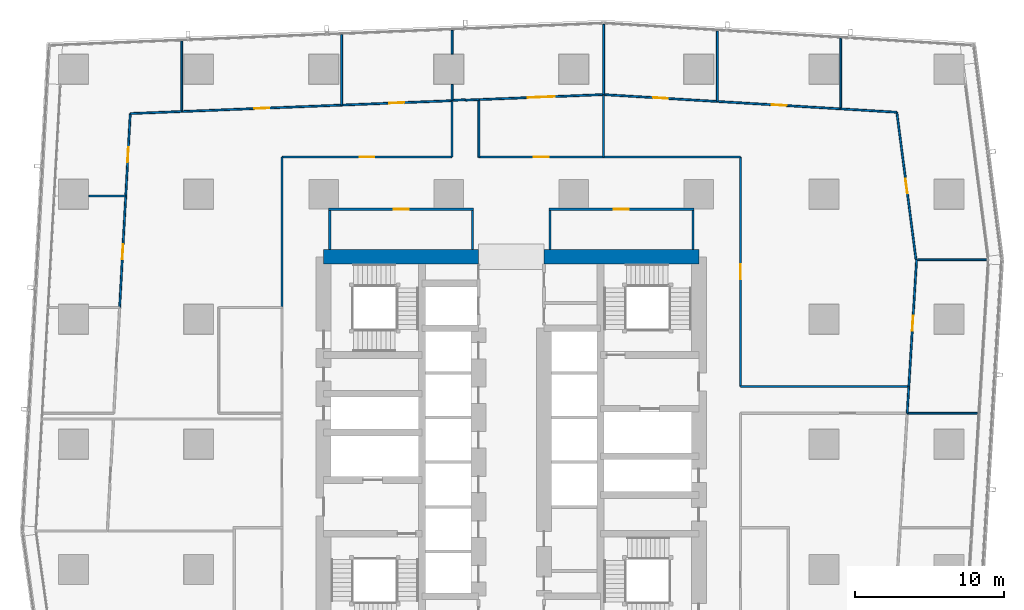
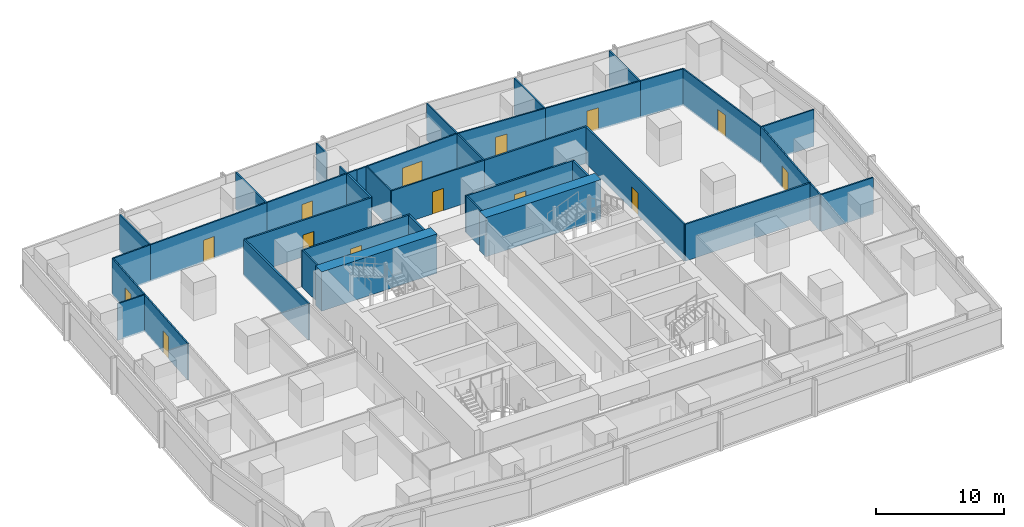
# One storey, part 31 of 39: 41 walls, 14 doors, 14 openings.
"""IFC4 building model written with IfcOpenShell, lengths in metres."""

from ifc_helpers import new_model, si_unit, direction, frame, frame_2d, origin, place, context, subcontext, project, spatial, rectangle, extrude, material, layer, layer_set, type_object, element, fill, save


model = new_model("IFC4")

# Units and contexts
model_context = context("Model", 3, precision=1e-05, world=origin(), true_north=direction((0.0, 1.0)))
body_context = subcontext(model_context, "Body", "Model", "MODEL_VIEW")
ifc_project = project(units=[si_unit("LENGTHUNIT", "METRE"), si_unit("AREAUNIT", "SQUARE_METRE"), si_unit("VOLUMEUNIT", "CUBIC_METRE"), si_unit("PLANEANGLEUNIT", "RADIAN"), si_unit("MASSUNIT", "GRAM", prefix="KILO")], contexts=[model_context])

# Site, building, storey
site_placement = place(None, origin())
site = spatial("IfcSite", under=ifc_project, at=site_placement, CompositionType="ELEMENT")
building_placement = place(site_placement, origin())
building = spatial("IfcBuilding", under=site, at=building_placement, Name="Rekha Terrace Tower", CompositionType="ELEMENT")
storey_placement = place(building_placement, frame((0.0, 0.0, 151.550048828125)))
storey = spatial("IfcBuildingStorey", under=building, at=storey_placement, Name="L38", CompositionType="ELEMENT", Elevation=151.550048828125)

# Walls
ifc_material_1 = material(Name="Concrete M70", Category="concrete")
ifc_layer_1 = layer(ifc_material_1, 1.0)
ifc_layer_set_1 = layer_set([ifc_layer_1], Name="Concrete M70")
wall_type_1 = type_object("IfcWallType", Name="SW2 1000 core outer shear wall", PredefinedType="SHEAR", material=ifc_layer_set_1)
wall_1_placement = place(storey_placement, frame((25.199951171875, 46.199951171875, 0.0), z_axis=(0.0, 0.0, 1.0), x_axis=(1.0, 0.0, 0.0)))
element("IfcWall", 1, at=wall_1_placement, inside=storey, type_object=wall_type_1, Name="Core wall N1 L38", PredefinedType="SHEAR", context=body_context, shape_type="SweptSolid", body=[
    extrude(rectangle(XDim=10.400146484375, YDim=1.0, at=frame_2d((5.2001953125, 0.0))), origin(), (0.0, 0.0, 1.0), 3.75),
])
wall_2_placement = place(storey_placement, frame((40.0, 46.199951171875, 0.0), z_axis=(0.0, 0.0, 1.0), x_axis=(1.0, 0.0, 0.0)))
element("IfcWall", 2, at=wall_2_placement, inside=storey, type_object=wall_type_1, Name="Core wall N2 L38", PredefinedType="SHEAR", context=body_context, shape_type="SweptSolid", body=[
    extrude(rectangle(XDim=10.39990234375, YDim=1.0, at=frame_2d((5.199951171875, 0.0))), origin(), (0.0, 0.0, 1.0), 3.75),
])

# Wall, opening, door
ifc_material_2 = material(Name="Concrete block masonry, 1 hour", Category="masonry")
ifc_layer_2 = layer(ifc_material_2, 0.14990234375)
ifc_layer_set_2 = layer_set([ifc_layer_2], Name="Concrete block masonry, 1 hour")
wall_type_2 = type_object("IfcWallType", Name="WP2 150 tenancy partition", PredefinedType="PARTITIONING", material=ifc_layer_set_2)
wall_3_placement = place(storey_placement, frame((40.324951171875, 49.39990234375, 0.0), z_axis=(0.0, 0.0, 1.0), x_axis=(1.0, 0.0, 0.0)))
wall_3 = element("IfcWall", 3, at=wall_3_placement, inside=storey, type_object=wall_type_2, Name="Women's WC wall L38", PredefinedType="PARTITIONING", context=body_context, shape_type="SweptSolid", body=[
    extrude(rectangle(XDim=9.75, YDim=0.14990234375, at=frame_2d((4.875, 0.0))), origin(), (0.0, 0.0, 1.0), 3.5),
])
opening_1_placement = place(wall_3_placement, frame((4.375, 0.0, 0.0)))
opening_1 = element("IfcOpeningElement", 4, at=opening_1_placement, cuts=wall_3, Name="Opening D3", PredefinedType="OPENING", context=body_context, shape_type="SweptSolid", body=[
    extrude(rectangle(XDim=1.0, YDim=2.10009765625, at=frame_2d((0.5, 1.050048828125))), frame((0.0, 0.0849609375, 0.0), z_axis=(0.0, -1.0, 0.0), x_axis=(1.0, 0.0, 0.0)), (0.0, 0.0, 1.0), 0.169921875),
])
ifc_material_3 = material(Name="Laminated timber fire door", Category="wood")
door_type_1 = type_object("IfcDoorType", Name="D3 1000x2100 WC door", OperationType="SINGLE_SWING_LEFT", PredefinedType="DOOR", material=ifc_material_3)
door_1_placement = place(opening_1_placement, origin())
door_1 = element("IfcDoor", 5, at=door_1_placement, inside=storey, type_object=door_type_1, Name="Door women's wc L38", OperationType="SINGLE_SWING_LEFT", OverallHeight=2.10009765625, OverallWidth=1.0, PredefinedType="DOOR", context=body_context, shape_type="SweptSolid", body=[
    extrude(rectangle(XDim=1.0, YDim=2.10009765625, at=frame_2d((0.5, 1.050048828125))), frame((0.0, 0.02490234375, 0.0), z_axis=(0.0, -1.0, 0.0), x_axis=(1.0, 0.0, 0.0)), (0.0, 0.0, 1.0), 0.050048828125),
])
fill(opening_1, door_1)

# Walls
for number, where, z_axis, x_axis, name in (
    (6, (40.39990234375, 46.699951171875, 0.0), (0.0, 0.0, 1.0), (0.0, 1.0, 0.0), "Women's WC wall L38"),
    (7, (50.0, 46.699951171875, 0.0), (0.0, 0.0, 1.0), (0.0, 1.0, 0.0), "Women's WC wall L38"),
):
    element("IfcWall", number, at=place(storey_placement, frame(where, z_axis=z_axis, x_axis=x_axis)), inside=storey, type_object=wall_type_2, Name=name, PredefinedType="PARTITIONING", context=body_context, shape_type="SweptSolid", body=[
        extrude(rectangle(XDim=2.625, YDim=0.14990234375, at=frame_2d((1.3125, 0.0))), origin(), (0.0, 0.0, 1.0), 3.5),
    ])

# Wall, opening, door
wall_4_placement = place(storey_placement, frame((25.52490234375, 49.39990234375, 0.0), z_axis=(0.0, 0.0, 1.0), x_axis=(1.0, 0.0, 0.0)))
wall_4 = element("IfcWall", 8, at=wall_4_placement, inside=storey, type_object=wall_type_2, Name="Women's WC wall L38", PredefinedType="PARTITIONING", context=body_context, shape_type="SweptSolid", body=[
    extrude(rectangle(XDim=9.75, YDim=0.14990234375, at=frame_2d((4.875, 0.0))), origin(), (0.0, 0.0, 1.0), 3.5),
])
opening_2_placement = place(wall_4_placement, frame((4.375, 0.0, 0.0)))
opening_2 = element("IfcOpeningElement", 9, at=opening_2_placement, cuts=wall_4, Name="Opening D3", PredefinedType="OPENING", context=body_context, shape_type="SweptSolid", body=[
    extrude(rectangle(XDim=1.0, YDim=2.10009765625, at=frame_2d((0.5, 1.050048828125))), frame((0.0, 0.0849609375, 0.0), z_axis=(0.0, -1.0, 0.0), x_axis=(1.0, 0.0, 0.0)), (0.0, 0.0, 1.0), 0.169921875),
])
door_2_placement = place(opening_2_placement, origin())
door_2 = element("IfcDoor", 10, at=door_2_placement, inside=storey, type_object=door_type_1, Name="Door women's wc L38", OperationType="SINGLE_SWING_LEFT", OverallHeight=2.10009765625, OverallWidth=1.0, PredefinedType="DOOR", context=body_context, shape_type="SweptSolid", body=[
    extrude(rectangle(XDim=1.0, YDim=2.10009765625, at=frame_2d((0.5, 1.050048828125))), frame((0.0, 0.02490234375, 0.0), z_axis=(0.0, -1.0, 0.0), x_axis=(1.0, 0.0, 0.0)), (0.0, 0.0, 1.0), 0.050048828125),
])
fill(opening_2, door_2)

# Walls
for number, where, z_axis, x_axis, name in (
    (11, (25.60009765625, 46.699951171875, 0.0), (0.0, 0.0, 1.0), (0.0, 1.0, 0.0), "Women's WC wall L38"),
    (12, (35.199951171875, 46.699951171875, 0.0), (0.0, 0.0, 1.0), (0.0, 1.0, 0.0), "Women's WC wall L38"),
):
    element("IfcWall", number, at=place(storey_placement, frame(where, z_axis=z_axis, x_axis=x_axis)), inside=storey, type_object=wall_type_2, Name=name, PredefinedType="PARTITIONING", context=body_context, shape_type="SweptSolid", body=[
        extrude(rectangle(XDim=2.625, YDim=0.14990234375, at=frame_2d((1.3125, 0.0))), origin(), (0.0, 0.0, 1.0), 3.5),
    ])
wall_5_placement = place(storey_placement, frame((64.507080078125, 37.489990234375, 0.0), z_axis=(0.0, 0.0, 1.0), x_axis=(-1.0, 0.0, 0.0)))
element("IfcWall", 13, at=wall_5_placement, inside=storey, type_object=wall_type_2, Name="Partition L38-O1", PredefinedType="PARTITIONING", context=body_context, shape_type="SweptSolid", body=[
    extrude(rectangle(XDim=11.30712890625, YDim=0.14990234375, at=frame_2d((5.653564453125, 0.0))), origin(), (0.0, 0.0, 1.0), 3.5),
])

# Wall, opening, door
wall_6_placement = place(storey_placement, frame((53.199951171875, 37.489990234375, 0.0), z_axis=(0.0, 0.0, 1.0), x_axis=(0.0, 1.0, 0.0)))
wall_6 = element("IfcWall", 14, at=wall_6_placement, inside=storey, type_object=wall_type_2, Name="Partition L38-O1", PredefinedType="PARTITIONING", context=body_context, shape_type="SweptSolid", body=[
    extrude(rectangle(XDim=15.409912109375, YDim=0.14990234375, at=frame_2d((7.705078125, 0.0))), origin(), (0.0, 0.0, 1.0), 3.5),
])
opening_3_placement = place(wall_6_placement, frame((7.205078125, 0.0, 0.0)))
opening_3 = element("IfcOpeningElement", 15, at=opening_3_placement, cuts=wall_6, Name="Opening D9", PredefinedType="OPENING", context=body_context, shape_type="SweptSolid", body=[
    extrude(rectangle(XDim=1.0, YDim=2.10009765625, at=frame_2d((0.5, 1.050048828125))), frame((0.0, 0.0849609375, 0.0), z_axis=(0.0, -1.0, 0.0), x_axis=(1.0, 0.0, 0.0)), (0.0, 0.0, 1.0), 0.169921875),
])
ifc_material_4 = material(Name="Timber fire door", Category="wood")
door_type_2 = type_object("IfcDoorType", Name="D9 1000x2100 office door", OperationType="SINGLE_SWING_LEFT", PredefinedType="DOOR", material=ifc_material_4)
door_3_placement = place(opening_3_placement, origin())
door_3 = element("IfcDoor", 16, at=door_3_placement, inside=storey, type_object=door_type_2, Name="Door open-plan office L38", OperationType="SINGLE_SWING_LEFT", OverallHeight=2.10009765625, OverallWidth=1.0, PredefinedType="DOOR", context=body_context, shape_type="SweptSolid", body=[
    extrude(rectangle(XDim=1.0, YDim=2.10009765625, at=frame_2d((0.5, 1.050048828125))), frame((0.0, 0.02490234375, 0.0), z_axis=(0.0, -1.0, 0.0), x_axis=(1.0, 0.0, 0.0)), (0.0, 0.0, 1.0), 0.050048828125),
])
fill(opening_3, door_3)

# Walls
wall_7_placement = place(storey_placement, frame((53.199951171875, 52.89990234375, 0.0), z_axis=(0.0, 0.0, 1.0), x_axis=(-1.0, 0.0, 0.0)))
element("IfcWall", 17, at=wall_7_placement, inside=storey, type_object=wall_type_2, Name="Partition L38-O1", PredefinedType="PARTITIONING", context=body_context, shape_type="SweptSolid", body=[
    extrude(rectangle(XDim=9.197021484375, YDim=0.14990234375, at=frame_2d((4.5986328125, 0.0))), origin(), (0.0, 0.0, 1.0), 3.5),
])
wall_8_placement = place(storey_placement, frame((44.0029296875, 52.89990234375, 0.0), z_axis=(0.0, 0.0, 1.0), x_axis=(0.0, 1.0, 0.0)))
element("IfcWall", 18, at=wall_8_placement, inside=storey, type_object=wall_type_2, Name="Partition L38-O1", PredefinedType="PARTITIONING", context=body_context, shape_type="SweptSolid", body=[
    extrude(rectangle(XDim=4.130126953125, YDim=0.14990234375, at=frame_2d((2.06494140625, 0.0))), origin(), (0.0, 0.0, 1.0), 3.5),
])
wall_9_placement = place(storey_placement, frame((33.825927734375, 56.6240234375, 0.0), z_axis=(0.0, 0.0, 1.0), x_axis=(0.0, -1.0, 0.0)))
element("IfcWall", 19, at=wall_9_placement, inside=storey, type_object=wall_type_2, Name="Partition L38-O2", PredefinedType="PARTITIONING", context=body_context, shape_type="SweptSolid", body=[
    extrude(rectangle(XDim=3.72412109375, YDim=0.14990234375, at=frame_2d((1.862060546875, 0.0))), origin(), (0.0, 0.0, 1.0), 3.5),
])

# Wall, opening, door
wall_10_placement = place(storey_placement, frame((33.825927734375, 52.89990234375, 0.0), z_axis=(0.0, 0.0, 1.0), x_axis=(-1.0, 0.0, 0.0)))
wall_10 = element("IfcWall", 20, at=wall_10_placement, inside=storey, type_object=wall_type_2, Name="Partition L38-O2", PredefinedType="PARTITIONING", context=body_context, shape_type="SweptSolid", body=[
    extrude(rectangle(XDim=11.426025390625, YDim=0.14990234375, at=frame_2d((5.712890625, 0.0))), origin(), (0.0, 0.0, 1.0), 3.5),
])
opening_4_placement = place(wall_10_placement, frame((5.212890625, 0.0, 0.0)))
opening_4 = element("IfcOpeningElement", 21, at=opening_4_placement, cuts=wall_10, Name="Opening D9", PredefinedType="OPENING", context=body_context, shape_type="SweptSolid", body=[
    extrude(rectangle(XDim=1.0, YDim=2.10009765625, at=frame_2d((0.5, 1.050048828125))), frame((0.0, 0.0849609375, 0.0), z_axis=(0.0, -1.0, 0.0), x_axis=(1.0, 0.0, 0.0)), (0.0, 0.0, 1.0), 0.169921875),
])
door_4_placement = place(opening_4_placement, origin())
door_4 = element("IfcDoor", 22, at=door_4_placement, inside=storey, type_object=door_type_2, Name="Door open-plan office L38", OperationType="SINGLE_SWING_LEFT", OverallHeight=2.10009765625, OverallWidth=1.0, PredefinedType="DOOR", context=body_context, shape_type="SweptSolid", body=[
    extrude(rectangle(XDim=1.0, YDim=2.10009765625, at=frame_2d((0.5, 1.050048828125))), frame((0.0, 0.02490234375, 0.0), z_axis=(0.0, -1.0, 0.0), x_axis=(1.0, 0.0, 0.0)), (0.0, 0.0, 1.0), 0.050048828125),
])
fill(opening_4, door_4)

# Walls
wall_11_placement = place(storey_placement, frame((22.39990234375, 52.89990234375, 0.0), z_axis=(0.0, 0.0, 1.0), x_axis=(0.0, -1.0, 0.0)))
element("IfcWall", 23, at=wall_11_placement, inside=storey, type_object=wall_type_2, Name="Partition L38-O2", PredefinedType="PARTITIONING", context=body_context, shape_type="SweptSolid", body=[
    extrude(rectangle(XDim=10.10498046875, YDim=0.14990234375, at=frame_2d((5.052490234375, 0.0))), origin(), (0.0, 0.0, 1.0), 3.5),
])
ifc_material_5 = material(Name="Two layers of fire-rated gypsum board each side on steel studs, acoustic quilt, 1 hour", Category="steel")
ifc_layer_3 = layer(ifc_material_5, 0.125)
ifc_layer_set_3 = layer_set([ifc_layer_3], Name="Two layers of fire-rated gypsum board each side on steel studs, acoustic quilt, 1 hour")
wall_type_3 = type_object("IfcWallType", Name="WP3 125 office partition", PredefinedType="PARTITIONING", material=ifc_layer_set_3)
wall_12_placement = place(storey_placement, frame((64.39697265625, 35.68603515625, 0.0), z_axis=(0.0, 0.0, 1.0), x_axis=(1.0, 0.0, 0.0)))
element("IfcWall", 24, at=wall_12_placement, inside=storey, type_object=wall_type_3, Name="Partition L38-03", PredefinedType="PARTITIONING", context=body_context, shape_type="SweptSolid", body=[
    extrude(rectangle(XDim=4.72900390625, YDim=0.125, at=frame_2d((2.364501953125, 0.0))), origin(), (0.0, 0.0, 1.0), 3.5),
])

# Wall, opening, door
wall_13_placement = place(storey_placement, frame((64.507080078125, 37.489990234375, 0.0), z_axis=(0.0, 0.0, 1.0), x_axis=(0.061156590163, 0.998128183892, 0.0)))
wall_13 = element("IfcWall", 25, at=wall_13_placement, inside=storey, type_object=wall_type_3, Name="Partition L38-04", PredefinedType="PARTITIONING", context=body_context, shape_type="SweptSolid", body=[
    extrude(rectangle(XDim=8.534912109375, YDim=0.125, at=frame_2d((4.267578125, 0.0))), origin(), (0.0, 0.0, 1.0), 3.5),
])
opening_5_placement = place(wall_13_placement, frame((3.763916015625, 0.0, 0.0)))
opening_5 = element("IfcOpeningElement", 26, at=opening_5_placement, cuts=wall_13, Name="Opening D9", PredefinedType="OPENING", context=body_context, shape_type="SweptSolid", body=[
    extrude(rectangle(XDim=1.0, YDim=2.10009765625, at=frame_2d((0.5, 1.050048828125))), frame((0.0, 0.072509765625, 0.0), z_axis=(0.0, -1.0, 0.0), x_axis=(1.0, 0.0, 0.0)), (0.0, 0.0, 1.0), 0.14501953125),
])
door_5_placement = place(opening_5_placement, origin())
door_5 = element("IfcDoor", 27, at=door_5_placement, inside=storey, type_object=door_type_2, Name="Door office L38", OperationType="SINGLE_SWING_LEFT", OverallHeight=2.10009765625, OverallWidth=1.0, PredefinedType="DOOR", context=body_context, shape_type="SweptSolid", body=[
    extrude(rectangle(XDim=1.0, YDim=2.10009765625, at=frame_2d((0.5, 1.050048828125))), frame((0.0, 0.02490234375, 0.0), z_axis=(0.0, -1.0, 0.0), x_axis=(1.0, 0.0, 0.0)), (0.0, 0.0, 1.0), 0.050048828125),
])
fill(opening_5, door_5)

# Walls
wall_14_placement = place(storey_placement, frame((65.091064453125, 46.0029296875, 0.0), z_axis=(0.0, 0.0, 1.0), x_axis=(1.0, 0.0, 0.0)))
element("IfcWall", 28, at=wall_14_placement, inside=storey, type_object=wall_type_3, Name="Partition L38-04", PredefinedType="PARTITIONING", context=body_context, shape_type="SweptSolid", body=[
    extrude(rectangle(XDim=4.659912109375, YDim=0.125, at=frame_2d((2.330078125, 0.0))), origin(), (0.0, 0.0, 1.0), 3.5),
])
wall_15_placement = place(storey_placement, frame((64.39697265625, 35.68701171875, 0.0), z_axis=(0.0, 0.0, 1.0), x_axis=(0.060956173326, 0.998140443492, 0.0)))
element("IfcWall", 29, at=wall_15_placement, inside=storey, type_object=wall_type_3, Name="Partition L38-04", PredefinedType="PARTITIONING", context=body_context, shape_type="SweptSolid", body=[
    extrude(rectangle(XDim=1.806396484375, YDim=0.125, at=frame_2d((0.9033203125, 0.0))), origin(), (0.0, 0.0, 1.0), 3.5),
])
wall_16_placement = place(storey_placement, frame((59.93701171875, 56.135986328125, 0.0), z_axis=(0.0, 0.0, 1.0), x_axis=(0.0, 1.0, 0.0)))
element("IfcWall", 30, at=wall_16_placement, inside=storey, type_object=wall_type_3, Name="Partition L38-05", PredefinedType="PARTITIONING", context=body_context, shape_type="SweptSolid", body=[
    extrude(rectangle(XDim=4.758056640625, YDim=0.125, at=frame_2d((2.37890625, 0.0))), origin(), (0.0, 0.0, 1.0), 3.5),
])

# Wall, opening, door
wall_17_placement = place(storey_placement, frame((64.989990234375, 46.010986328125, 0.0), z_axis=(0.0, 0.0, 1.0), x_axis=(-0.129132161752, 0.991627392119, 0.0)))
wall_17 = element("IfcWall", 31, at=wall_17_placement, inside=storey, type_object=wall_type_3, Name="Partition L38-05", PredefinedType="PARTITIONING", context=body_context, shape_type="SweptSolid", body=[
    extrude(rectangle(XDim=9.982421875, YDim=0.125, at=frame_2d((4.9912109375, 0.0))), origin(), (0.0, 0.0, 1.0), 3.5),
])
opening_6_placement = place(wall_17_placement, frame((4.488037109375, 0.0, 0.0)))
opening_6 = element("IfcOpeningElement", 32, at=opening_6_placement, cuts=wall_17, Name="Opening D9", PredefinedType="OPENING", context=body_context, shape_type="SweptSolid", body=[
    extrude(rectangle(XDim=1.0, YDim=2.10009765625, at=frame_2d((0.5, 1.050048828125))), frame((0.0, 0.072509765625, 0.0), z_axis=(0.0, -1.0, 0.0), x_axis=(1.0, 0.0, 0.0)), (0.0, 0.0, 1.0), 0.14501953125),
])
door_6_placement = place(opening_6_placement, origin())
door_6 = element("IfcDoor", 33, at=door_6_placement, inside=storey, type_object=door_type_2, Name="Door director's office L38", OperationType="SINGLE_SWING_LEFT", OverallHeight=2.10009765625, OverallWidth=1.0, PredefinedType="DOOR", context=body_context, shape_type="SweptSolid", body=[
    extrude(rectangle(XDim=1.0, YDim=2.10009765625, at=frame_2d((0.5, 1.050048828125))), frame((0.0, 0.02490234375, 0.0), z_axis=(0.0, -1.0, 0.0), x_axis=(1.0, 0.0, 0.0)), (0.0, 0.0, 1.0), 0.050048828125),
])
fill(opening_6, door_6)

# Wall
wall_18_placement = place(storey_placement, frame((63.700927734375, 55.909912109375, 0.0), z_axis=(0.0, 0.0, 1.0), x_axis=(-0.99820105001, 0.059955514841, 0.0)))
element("IfcWall", 34, at=wall_18_placement, inside=storey, type_object=wall_type_3, Name="Partition L38-05", PredefinedType="PARTITIONING", context=body_context, shape_type="SweptSolid", body=[
    extrude(rectangle(XDim=3.770751953125, YDim=0.125, at=frame_2d((1.88525390625, 0.0))), origin(), (0.0, 0.0, 1.0), 3.5),
])

# Wall, opening, door
wall_19_placement = place(storey_placement, frame((59.93603515625, 56.135986328125, 0.0), z_axis=(0.0, 0.0, 1.0), x_axis=(-0.998201048184, 0.059955545233, 0.0)))
wall_19 = element("IfcWall", 35, at=wall_19_placement, inside=storey, type_object=wall_type_3, Name="Partition L38-06", PredefinedType="PARTITIONING", context=body_context, shape_type="SweptSolid", body=[
    extrude(rectangle(XDim=8.306884765625, YDim=0.125, at=frame_2d((4.1533203125, 0.0))), origin(), (0.0, 0.0, 1.0), 3.5),
])
opening_7_placement = place(wall_19_placement, frame((3.653076171875, 0.0, 0.0)))
opening_7 = element("IfcOpeningElement", 36, at=opening_7_placement, cuts=wall_19, Name="Opening D9", PredefinedType="OPENING", context=body_context, shape_type="SweptSolid", body=[
    extrude(rectangle(XDim=1.0, YDim=2.10009765625, at=frame_2d((0.5, 1.050048828125))), frame((0.0, 0.072509765625, 0.0), z_axis=(0.0, -1.0, 0.0), x_axis=(1.0, 0.0, 0.0)), (0.0, 0.0, 1.0), 0.14501953125),
])
door_7_placement = place(opening_7_placement, origin())
door_7 = element("IfcDoor", 37, at=door_7_placement, inside=storey, type_object=door_type_2, Name="Door office L38", OperationType="SINGLE_SWING_LEFT", OverallHeight=2.10009765625, OverallWidth=1.0, PredefinedType="DOOR", context=body_context, shape_type="SweptSolid", body=[
    extrude(rectangle(XDim=1.0, YDim=2.10009765625, at=frame_2d((0.5, 1.050048828125))), frame((0.0, 0.02490234375, 0.0), z_axis=(0.0, -1.0, 0.0), x_axis=(1.0, 0.0, 0.0)), (0.0, 0.0, 1.0), 0.050048828125),
])
fill(opening_7, door_7)

# Wall
wall_20_placement = place(storey_placement, frame((51.64404296875, 56.634033203125, 0.0), z_axis=(0.0, 0.0, 1.0), x_axis=(0.0, 1.0, 0.0)))
element("IfcWall", 38, at=wall_20_placement, inside=storey, type_object=wall_type_3, Name="Partition L38-06", PredefinedType="PARTITIONING", context=body_context, shape_type="SweptSolid", body=[
    extrude(rectangle(XDim=4.72900390625, YDim=0.125, at=frame_2d((2.364501953125, 0.0))), origin(), (0.0, 0.0, 1.0), 3.5),
])

# Wall, opening, door
wall_21_placement = place(storey_placement, frame((51.64306640625, 56.634033203125, 0.0), z_axis=(0.0, 0.0, 1.0), x_axis=(-0.998199883252, 0.059974937057, 0.0)))
wall_21 = element("IfcWall", 39, at=wall_21_placement, inside=storey, type_object=wall_type_3, Name="Partition L38-07", PredefinedType="PARTITIONING", context=body_context, shape_type="SweptSolid", body=[
    extrude(rectangle(XDim=7.65283203125, YDim=0.125, at=frame_2d((3.826416015625, 0.0))), origin(), (0.0, 0.0, 1.0), 3.5),
])
opening_8_placement = place(wall_21_placement, frame((3.325927734375, 0.0, 0.0)))
opening_8 = element("IfcOpeningElement", 40, at=opening_8_placement, cuts=wall_21, Name="Opening D9", PredefinedType="OPENING", context=body_context, shape_type="SweptSolid", body=[
    extrude(rectangle(XDim=1.0, YDim=2.10009765625, at=frame_2d((0.5, 1.050048828125))), frame((0.0, 0.072509765625, 0.0), z_axis=(0.0, -1.0, 0.0), x_axis=(1.0, 0.0, 0.0)), (0.0, 0.0, 1.0), 0.14501953125),
])
door_8_placement = place(opening_8_placement, origin())
door_8 = element("IfcDoor", 41, at=door_8_placement, inside=storey, type_object=door_type_2, Name="Door office L38", OperationType="SINGLE_SWING_LEFT", OverallHeight=2.10009765625, OverallWidth=1.0, PredefinedType="DOOR", context=body_context, shape_type="SweptSolid", body=[
    extrude(rectangle(XDim=1.0, YDim=2.10009765625, at=frame_2d((0.5, 1.050048828125))), frame((0.0, 0.02490234375, 0.0), z_axis=(0.0, -1.0, 0.0), x_axis=(1.0, 0.0, 0.0)), (0.0, 0.0, 1.0), 0.050048828125),
])
fill(opening_8, door_8)

# Walls
wall_22_placement = place(storey_placement, frame((44.00390625, 57.093017578125, 0.0), z_axis=(0.0, 0.0, 1.0), x_axis=(0.0, 1.0, 0.0)))
element("IfcWall", 42, at=wall_22_placement, inside=storey, type_object=wall_type_3, Name="Partition L38-07", PredefinedType="PARTITIONING", context=body_context, shape_type="SweptSolid", body=[
    extrude(rectangle(XDim=4.72607421875, YDim=0.125, at=frame_2d((2.363037109375, 0.0))), origin(), (0.0, 0.0, 1.0), 3.5),
])
wall_23_placement = place(storey_placement, frame((26.407958984375, 56.389892578125, 0.0), z_axis=(0.0, 0.0, 1.0), x_axis=(0.0, 1.0, 0.0)))
element("IfcWall", 43, at=wall_23_placement, inside=storey, type_object=wall_type_3, Name="Partition L38-12", PredefinedType="PARTITIONING", context=body_context, shape_type="SweptSolid", body=[
    extrude(rectangle(XDim=4.753173828125, YDim=0.125, at=frame_2d((2.37646484375, 0.0))), origin(), (0.0, 0.0, 1.0), 3.5),
])
wall_24_placement = place(storey_placement, frame((33.826904296875, 61.410888671875, 0.0), z_axis=(0.0, 0.0, 1.0), x_axis=(0.0, -1.0, 0.0)))
element("IfcWall", 44, at=wall_24_placement, inside=storey, type_object=wall_type_3, Name="Partition L38-12", PredefinedType="PARTITIONING", context=body_context, shape_type="SweptSolid", body=[
    extrude(rectangle(XDim=1.5908203125, YDim=0.125, at=frame_2d((0.79541015625, 0.0))), origin(), (0.0, 0.0, 1.0), 3.5),
])
wall_25_placement = place(storey_placement, frame((33.826904296875, 57.780029296875, 0.0), z_axis=(0.0, 0.0, 1.0), x_axis=(0.0, -1.0, 0.0)))
element("IfcWall", 45, at=wall_25_placement, inside=storey, type_object=wall_type_3, Name="Partition L38-12", PredefinedType="PARTITIONING", context=body_context, shape_type="SweptSolid", body=[
    extrude(rectangle(XDim=1.093017578125, YDim=0.125, at=frame_2d((0.54638671875, 0.0))), origin(), (0.0, 0.0, 1.0), 3.5),
])

# Wall, opening, door
wall_26_placement = place(storey_placement, frame((33.826904296875, 56.68701171875, 0.0), z_axis=(0.0, 0.0, 1.0), x_axis=(-0.999199014073, -0.040016624988, 0.0)))
wall_26 = element("IfcWall", 46, at=wall_26_placement, inside=storey, type_object=wall_type_3, Name="Partition L38-12", PredefinedType="PARTITIONING", context=body_context, shape_type="SweptSolid", body=[
    extrude(rectangle(XDim=7.4248046875, YDim=0.125, at=frame_2d((3.71240234375, 0.0))), origin(), (0.0, 0.0, 1.0), 3.5),
])
opening_9_placement = place(wall_26_placement, frame((3.2119140625, 0.0, 0.0)))
opening_9 = element("IfcOpeningElement", 47, at=opening_9_placement, cuts=wall_26, Name="Opening D9", PredefinedType="OPENING", context=body_context, shape_type="SweptSolid", body=[
    extrude(rectangle(XDim=1.0, YDim=2.10009765625, at=frame_2d((0.5, 1.050048828125))), frame((0.0, 0.072509765625, 0.0), z_axis=(0.0, -1.0, 0.0), x_axis=(1.0, 0.0, 0.0)), (0.0, 0.0, 1.0), 0.14501953125),
])
door_9_placement = place(opening_9_placement, origin())
door_9 = element("IfcDoor", 48, at=door_9_placement, inside=storey, type_object=door_type_2, Name="Door office L38", OperationType="SINGLE_SWING_LEFT", OverallHeight=2.10009765625, OverallWidth=1.0, PredefinedType="DOOR", context=body_context, shape_type="SweptSolid", body=[
    extrude(rectangle(XDim=1.0, YDim=2.10009765625, at=frame_2d((0.5, 1.050048828125))), frame((0.0, 0.02490234375, 0.0), z_axis=(0.0, -1.0, 0.0), x_axis=(1.0, 0.0, 0.0)), (0.0, 0.0, 1.0), 0.050048828125),
])
fill(opening_9, door_9)

wall_27_placement = place(storey_placement, frame((26.406982421875, 56.389892578125, 0.0), z_axis=(0.0, 0.0, 1.0), x_axis=(-0.999196381261, -0.040082311255, 0.0)))
wall_27 = element("IfcWall", 49, at=wall_27_placement, inside=storey, type_object=wall_type_3, Name="Partition L38-13", PredefinedType="PARTITIONING", context=body_context, shape_type="SweptSolid", body=[
    extrude(rectangle(XDim=10.75048828125, YDim=0.125, at=frame_2d((5.375244140625, 0.0))), origin(), (0.0, 0.0, 1.0), 3.5),
])
opening_10_placement = place(wall_27_placement, frame((4.875, 0.0, 0.0)))
opening_10 = element("IfcOpeningElement", 50, at=opening_10_placement, cuts=wall_27, Name="Opening D9", PredefinedType="OPENING", context=body_context, shape_type="SweptSolid", body=[
    extrude(rectangle(XDim=1.0, YDim=2.10009765625, at=frame_2d((0.5, 1.050048828125))), frame((0.0, 0.072509765625, 0.0), z_axis=(0.0, -1.0, 0.0), x_axis=(1.0, 0.0, 0.0)), (0.0, 0.0, 1.0), 0.14501953125),
])
door_10_placement = place(opening_10_placement, origin())
door_10 = element("IfcDoor", 51, at=door_10_placement, inside=storey, type_object=door_type_2, Name="Door office L38", OperationType="SINGLE_SWING_LEFT", OverallHeight=2.10009765625, OverallWidth=1.0, PredefinedType="DOOR", context=body_context, shape_type="SweptSolid", body=[
    extrude(rectangle(XDim=1.0, YDim=2.10009765625, at=frame_2d((0.5, 1.050048828125))), frame((0.0, 0.02490234375, 0.0), z_axis=(0.0, -1.0, 0.0), x_axis=(1.0, 0.0, 0.0)), (0.0, 0.0, 1.0), 0.050048828125),
])
fill(opening_10, door_10)

# Walls
wall_28_placement = place(storey_placement, frame((15.6650390625, 55.958984375, 0.0), z_axis=(0.0, 0.0, 1.0), x_axis=(0.0, 1.0, 0.0)))
element("IfcWall", 52, at=wall_28_placement, inside=storey, type_object=wall_type_3, Name="Partition L38-13", PredefinedType="PARTITIONING", context=body_context, shape_type="SweptSolid", body=[
    extrude(rectangle(XDim=4.72412109375, YDim=0.125, at=frame_2d((2.362060546875, 0.0))), origin(), (0.0, 0.0, 1.0), 3.5),
])
wall_29_placement = place(storey_placement, frame((11.903076171875, 50.284912109375, 0.0), z_axis=(0.0, 0.0, 1.0), x_axis=(-1.0, 0.0, 0.0)))
element("IfcWall", 53, at=wall_29_placement, inside=storey, type_object=wall_type_3, Name="Partition L38-14", PredefinedType="PARTITIONING", context=body_context, shape_type="SweptSolid", body=[
    extrude(rectangle(XDim=2.483154296875, YDim=0.125, at=frame_2d((1.24169921875, 0.0))), origin(), (0.0, 0.0, 1.0), 3.5),
])
wall_30_placement = place(storey_placement, frame((15.6640625, 55.958984375, 0.0), z_axis=(0.0, 0.0, 1.0), x_axis=(-0.999204899199, -0.039869404523, 0.0)))
element("IfcWall", 54, at=wall_30_placement, inside=storey, type_object=wall_type_3, Name="Partition L38-14", PredefinedType="PARTITIONING", context=body_context, shape_type="SweptSolid", body=[
    extrude(rectangle(XDim=3.459716796875, YDim=0.125, at=frame_2d((1.72998046875, 0.0))), origin(), (0.0, 0.0, 1.0), 3.5),
])

# Wall, opening, door
wall_31_placement = place(storey_placement, frame((12.20703125, 55.821044921875, 0.0), z_axis=(0.0, 0.0, 1.0), x_axis=(-0.054821297693, -0.998496181925, 0.0)))
wall_31 = element("IfcWall", 55, at=wall_31_placement, inside=storey, type_object=wall_type_3, Name="Partition L38-14", PredefinedType="PARTITIONING", context=body_context, shape_type="SweptSolid", body=[
    extrude(rectangle(XDim=5.54443359375, YDim=0.125, at=frame_2d((2.772216796875, 0.0))), origin(), (0.0, 0.0, 1.0), 3.5),
])
opening_11_placement = place(wall_31_placement, frame((2.27197265625, 0.0, 0.0)))
opening_11 = element("IfcOpeningElement", 56, at=opening_11_placement, cuts=wall_31, Name="Opening D9", PredefinedType="OPENING", context=body_context, shape_type="SweptSolid", body=[
    extrude(rectangle(XDim=1.0, YDim=2.10009765625, at=frame_2d((0.5, 1.050048828125))), frame((0.0, 0.072509765625, 0.0), z_axis=(0.0, -1.0, 0.0), x_axis=(1.0, 0.0, 0.0)), (0.0, 0.0, 1.0), 0.14501953125),
])
door_11_placement = place(opening_11_placement, origin())
door_11 = element("IfcDoor", 57, at=door_11_placement, inside=storey, type_object=door_type_2, Name="Door director's office L38", OperationType="SINGLE_SWING_LEFT", OverallHeight=2.10009765625, OverallWidth=1.0, PredefinedType="DOOR", context=body_context, shape_type="SweptSolid", body=[
    extrude(rectangle(XDim=1.0, YDim=2.10009765625, at=frame_2d((0.5, 1.050048828125))), frame((0.0, 0.02490234375, 0.0), z_axis=(0.0, -1.0, 0.0), x_axis=(1.0, 0.0, 0.0)), (0.0, 0.0, 1.0), 0.050048828125),
])
fill(opening_11, door_11)

wall_32_placement = place(storey_placement, frame((11.903076171875, 50.283935546875, 0.0), z_axis=(0.0, 0.0, 1.0), x_axis=(-0.054685772478, -0.998503613558, 0.0)))
wall_32 = element("IfcWall", 58, at=wall_32_placement, inside=storey, type_object=wall_type_3, Name="Partition L38-15", PredefinedType="PARTITIONING", context=body_context, shape_type="SweptSolid", body=[
    extrude(rectangle(XDim=7.500244140625, YDim=0.125, at=frame_2d((3.75, 0.0))), origin(), (0.0, 0.0, 1.0), 3.5),
])
opening_12_placement = place(wall_32_placement, frame((3.25, 0.0, 0.0)))
opening_12 = element("IfcOpeningElement", 59, at=opening_12_placement, cuts=wall_32, Name="Opening D9", PredefinedType="OPENING", context=body_context, shape_type="SweptSolid", body=[
    extrude(rectangle(XDim=1.0, YDim=2.10009765625, at=frame_2d((0.5, 1.050048828125))), frame((0.0, 0.072509765625, 0.0), z_axis=(0.0, -1.0, 0.0), x_axis=(1.0, 0.0, 0.0)), (0.0, 0.0, 1.0), 0.14501953125),
])
door_12_placement = place(opening_12_placement, origin())
door_12 = element("IfcDoor", 60, at=door_12_placement, inside=storey, type_object=door_type_2, Name="Door quiet room L38", OperationType="SINGLE_SWING_LEFT", OverallHeight=2.10009765625, OverallWidth=1.0, PredefinedType="DOOR", context=body_context, shape_type="SweptSolid", body=[
    extrude(rectangle(XDim=1.0, YDim=2.10009765625, at=frame_2d((0.5, 1.050048828125))), frame((0.0, 0.02490234375, 0.0), z_axis=(0.0, -1.0, 0.0), x_axis=(1.0, 0.0, 0.0)), (0.0, 0.0, 1.0), 0.050048828125),
])
fill(opening_12, door_12)

# Wall
wall_33_placement = place(storey_placement, frame((34.72607421875, 56.748046875, 0.0), z_axis=(0.0, 0.0, 1.0), x_axis=(-0.999225898229, -0.039339602292, 0.0)))
element("IfcWall", 61, at=wall_33_placement, inside=storey, type_object=wall_type_3, Name="Partition L38-18", PredefinedType="PARTITIONING", context=body_context, shape_type="SweptSolid", body=[
    extrude(rectangle(XDim=0.837890625, YDim=0.125, at=frame_2d((0.4189453125, 0.0))), origin(), (0.0, 0.0, 1.0), 3.5),
])

# Wall, opening, door
wall_34_placement = place(storey_placement, frame((43.952880859375, 57.093017578125, 0.0), z_axis=(0.0, 0.0, 1.0), x_axis=(-0.999196600525, -0.040076844915, 0.0)))
wall_34 = element("IfcWall", 62, at=wall_34_placement, inside=storey, type_object=wall_type_3, Name="Partition L38-18", PredefinedType="PARTITIONING", context=body_context, shape_type="SweptSolid", body=[
    extrude(rectangle(XDim=8.33349609375, YDim=0.125, at=frame_2d((4.166748046875, 0.0))), origin(), (0.0, 0.0, 1.0), 3.5),
])
opening_13_placement = place(wall_34_placement, frame((3.241943359375, 0.0, 0.0)))
opening_13 = element("IfcOpeningElement", 63, at=opening_13_placement, cuts=wall_34, Name="Opening D8", PredefinedType="OPENING", context=body_context, shape_type="SweptSolid", body=[
    extrude(rectangle(XDim=1.800048828125, YDim=2.10009765625, at=frame_2d((0.89990234375, 1.050048828125))), frame((0.0, 0.072509765625, 0.0), z_axis=(0.0, -1.0, 0.0), x_axis=(1.0, 0.0, 0.0)), (0.0, 0.0, 1.0), 0.14501953125),
])
door_type_3 = type_object("IfcDoorType", Name="D8 1800x2100 double leaf door", OperationType="DOUBLE_DOOR_SINGLE_SWING", PredefinedType="DOOR", material=ifc_material_4)
door_13_placement = place(opening_13_placement, origin())
door_13 = element("IfcDoor", 64, at=door_13_placement, inside=storey, type_object=door_type_3, Name="Door board meeting room L38", OperationType="DOUBLE_DOOR_SINGLE_SWING", OverallHeight=2.10009765625, OverallWidth=1.800048828125, PredefinedType="DOOR", context=body_context, shape_type="SweptSolid", body=[
    extrude(rectangle(XDim=1.800048828125, YDim=2.10009765625, at=frame_2d((0.89990234375, 1.050048828125))), frame((0.0, 0.02490234375, 0.0), z_axis=(0.0, -1.0, 0.0), x_axis=(1.0, 0.0, 0.0)), (0.0, 0.0, 1.0), 0.050048828125),
])
fill(opening_13, door_13)

# Walls
wall_35_placement = place(storey_placement, frame((35.6259765625, 56.759033203125, 0.0), z_axis=(0.0, 0.0, 1.0), x_axis=(-0.999194884772, -0.04011959928, 0.0)))
element("IfcWall", 65, at=wall_35_placement, inside=storey, type_object=wall_type_3, Name="Partition L38-18", PredefinedType="PARTITIONING", context=body_context, shape_type="SweptSolid", body=[
    extrude(rectangle(XDim=0.900634765625, YDim=0.125, at=frame_2d((0.4501953125, 0.0))), origin(), (0.0, 0.0, 1.0), 3.5),
])
wall_36_placement = place(storey_placement, frame((35.6259765625, 52.89990234375, 0.0), z_axis=(0.0, 0.0, 1.0), x_axis=(0.0, 1.0, 0.0)))
element("IfcWall", 66, at=wall_36_placement, inside=storey, type_object=wall_type_3, Name="Partition L38-19", PredefinedType="PARTITIONING", context=body_context, shape_type="SweptSolid", body=[
    extrude(rectangle(XDim=3.859130859375, YDim=0.125, at=frame_2d((1.9296875, 0.0))), origin(), (0.0, 0.0, 1.0), 3.5),
])

# Wall, opening, door
wall_37_placement = place(storey_placement, frame((44.0029296875, 52.89990234375, 0.0), z_axis=(0.0, 0.0, 1.0), x_axis=(-1.0, 0.0, 0.0)))
wall_37 = element("IfcWall", 67, at=wall_37_placement, inside=storey, type_object=wall_type_3, Name="Partition L38-19", PredefinedType="PARTITIONING", context=body_context, shape_type="SweptSolid", body=[
    extrude(rectangle(XDim=8.376953125, YDim=0.125, at=frame_2d((4.1884765625, 0.0))), origin(), (0.0, 0.0, 1.0), 3.5),
])
opening_14_placement = place(wall_37_placement, frame((3.68896484375, 0.0, 0.0)))
opening_14 = element("IfcOpeningElement", 68, at=opening_14_placement, cuts=wall_37, Name="Opening D9", PredefinedType="OPENING", context=body_context, shape_type="SweptSolid", body=[
    extrude(rectangle(XDim=1.0, YDim=2.10009765625, at=frame_2d((0.5, 1.050048828125))), frame((0.0, 0.072509765625, 0.0), z_axis=(0.0, -1.0, 0.0), x_axis=(1.0, 0.0, 0.0)), (0.0, 0.0, 1.0), 0.14501953125),
])
door_14_placement = place(opening_14_placement, origin())
door_14 = element("IfcDoor", 69, at=door_14_placement, inside=storey, type_object=door_type_2, Name="Door breakout lounge L38", OperationType="SINGLE_SWING_LEFT", OverallHeight=2.10009765625, OverallWidth=1.0, PredefinedType="DOOR", context=body_context, shape_type="SweptSolid", body=[
    extrude(rectangle(XDim=1.0, YDim=2.10009765625, at=frame_2d((0.5, 1.050048828125))), frame((0.0, 0.02490234375, 0.0), z_axis=(0.0, -1.0, 0.0), x_axis=(1.0, 0.0, 0.0)), (0.0, 0.0, 1.0), 0.050048828125),
])
fill(opening_14, door_14)

save(model, "model.ifc")
